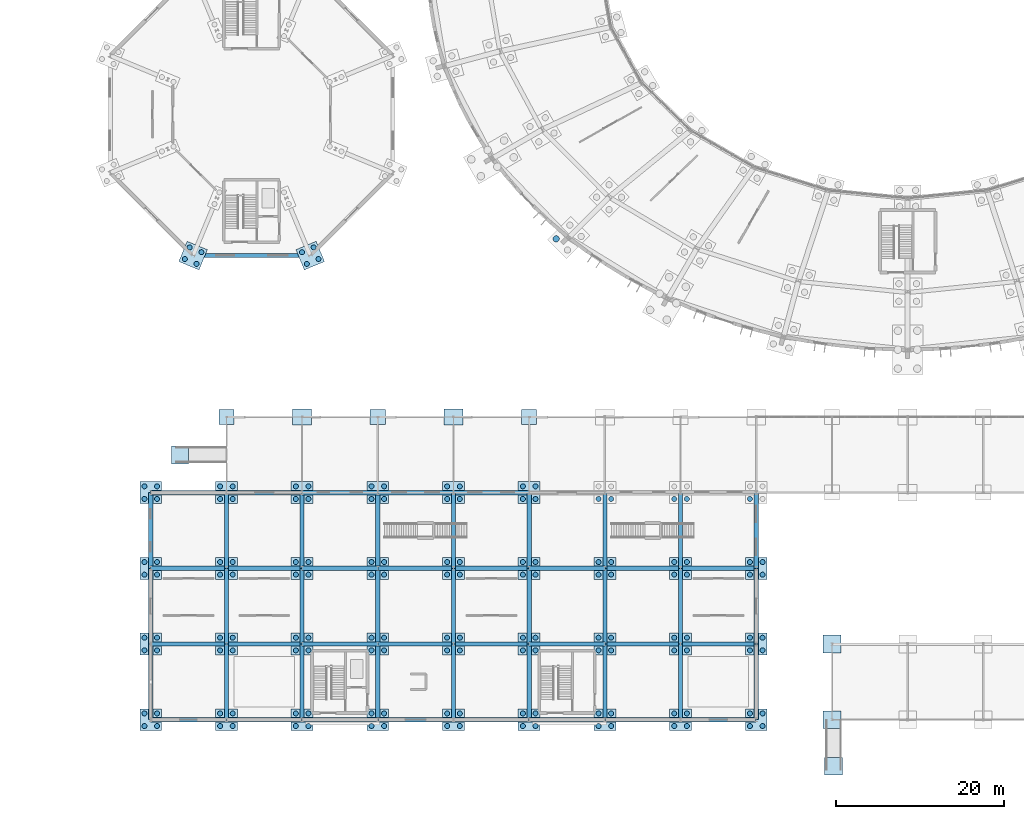
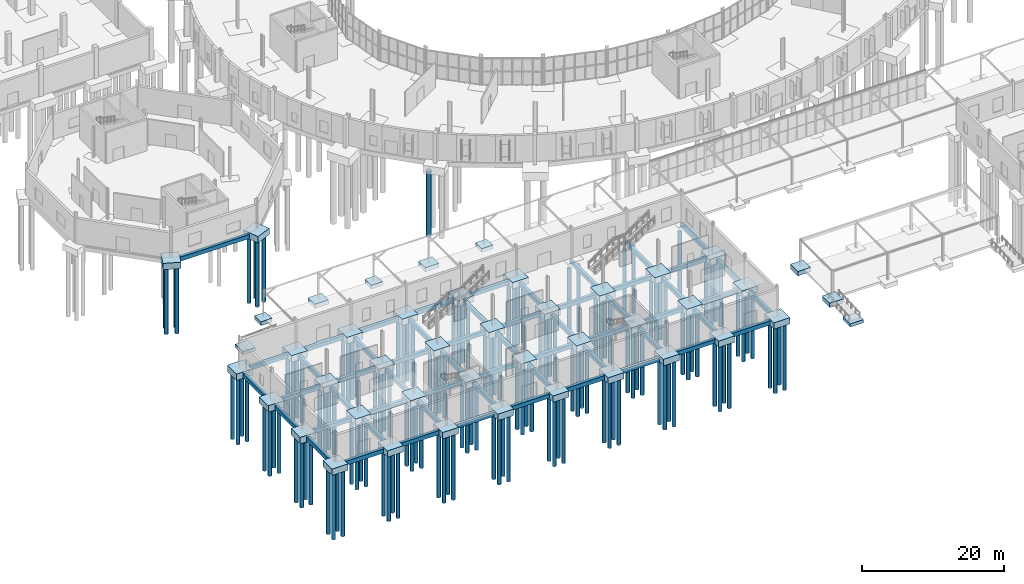
# One storey, part 1 of 118: 146 piles, 101 footings.
"""IFC4 building model written with IfcOpenShell, lengths in metres."""

from ifc_helpers import new_model, si_unit, direction, frame, origin, origin_2d, place, context, subcontext, project, spatial, rectangle, circle, extrude, material, material_profile, profile_set, type_object, element, save


model = new_model("IFC4")

# Units and contexts
model_context = context("Model", 3, precision=1e-05, world=origin(), true_north=direction((0.0, 1.0)))
body_context = subcontext(model_context, "Body", "Model", "MODEL_VIEW")
ifc_project = project(units=[si_unit("LENGTHUNIT", "METRE"), si_unit("AREAUNIT", "SQUARE_METRE"), si_unit("VOLUMEUNIT", "CUBIC_METRE"), si_unit("PLANEANGLEUNIT", "RADIAN"), si_unit("MASSUNIT", "GRAM", prefix="KILO")], contexts=[model_context])

# Site, building, storey
site_placement = place(None, origin())
site = spatial("IfcSite", under=ifc_project, at=site_placement, CompositionType="ELEMENT")
building_placement = place(site_placement, origin())
building = spatial("IfcBuilding", under=site, at=building_placement, Name="Kildeholm Park Wholesale Market", CompositionType="ELEMENT")
storey_placement = place(building_placement, origin())
storey = spatial("IfcBuildingStorey", under=building, at=storey_placement, Name="L00", CompositionType="ELEMENT", Elevation=0.0)

# Piles
ifc_material = material(Name="Concrete C35/45", Category="concrete")
ifc_material_profile_1 = material_profile(ifc_material, circle(Radius=0.300048828125, at=origin_2d()), Name="PILE D600")
ifc_profile_set_1 = profile_set([ifc_material_profile_1], Name="Concrete C35/45")
pile_type_1 = type_object("IfcPileType", Name="Bored pile 600 mm", PredefinedType="BORED", material=ifc_profile_set_1)
for number, where, z_axis, x_axis, name in (
    (1, (13.629150390625, 56.164794921875, -1.0), (0.0, 0.0, -1.0), (1.0, 0.0, 0.0), "Bored pile V3-OT-05.1 PIL-0409"),
    (2, (13.05517578125, 54.779052734375, -1.0), (0.0, 0.0, -1.0), (1.0, 0.0, 0.0), "Bored pile V3-OT-05.2 PIL-0410"),
    (3, (15.014892578125, 55.5908203125, -1.0), (0.0, 0.0, -1.0), (1.0, 0.0, 0.0), "Bored pile V3-OT-05.3 PIL-0411"),
    (4, (14.44091796875, 54.205078125, -1.0), (0.0, 0.0, -1.0), (1.0, 0.0, 0.0), "Bored pile V3-OT-05.4 PIL-0412"),
    (5, (26.985107421875, 55.5908203125, -1.0), (0.0, 0.0, -1.0), (1.0, 0.0, 0.0), "Bored pile V3-OT-06.1 PIL-0415"),
    (6, (27.55908203125, 54.205078125, -1.0), (0.0, 0.0, -1.0), (1.0, 0.0, 0.0), "Bored pile V3-OT-06.2 PIL-0416"),
    (7, (28.370849609375, 56.164794921875, -1.0), (0.0, 0.0, -1.0), (1.0, 0.0, 0.0), "Bored pile V3-OT-06.3 PIL-0417"),
    (8, (28.94482421875, 54.779052734375, -1.0), (0.0, 0.0, -1.0), (1.0, 0.0, 0.0), "Bored pile V3-OT-06.4 PIL-0418"),
    (9, (8.25, -0.75, -1.0), (0.0, 0.0, -1.0), (1.0, 0.0, 0.0), "Bored pile V5W-009-000.1 PIL-0861"),
    (10, (9.75, -0.75, -1.0), (0.0, 0.0, -1.0), (1.0, 0.0, 0.0), "Bored pile V5W-009-000.2 PIL-0862"),
    (11, (8.25, 0.75, -1.0), (0.0, 0.0, -1.0), (1.0, 0.0, 0.0), "Bored pile V5W-009-000.3 PIL-0863"),
    (12, (9.75, 0.75, -1.0), (0.0, 0.0, -1.0), (1.0, 0.0, 0.0), "Bored pile V5W-009-000.4 PIL-0864"),
    (13, (8.25, 8.25, -1.0), (0.0, 0.0, -1.0), (1.0, 0.0, 0.0), "Bored pile V5W-009-009.1 PIL-0865"),
    (14, (9.75, 8.25, -1.0), (0.0, 0.0, -1.0), (1.0, 0.0, 0.0), "Bored pile V5W-009-009.2 PIL-0866"),
    (15, (8.25, 9.75, -1.0), (0.0, 0.0, -1.0), (1.0, 0.0, 0.0), "Bored pile V5W-009-009.3 PIL-0867"),
    (16, (9.75, 9.75, -1.0), (0.0, 0.0, -1.0), (1.0, 0.0, 0.0), "Bored pile V5W-009-009.4 PIL-0868"),
    (17, (8.25, 17.25, -1.0), (0.0, 0.0, -1.0), (1.0, 0.0, 0.0), "Bored pile V5W-009-018.1 PIL-0869"),
    (18, (9.75, 17.25, -1.0), (0.0, 0.0, -1.0), (1.0, 0.0, 0.0), "Bored pile V5W-009-018.2 PIL-0870"),
    (19, (8.25, 18.75, -1.0), (0.0, 0.0, -1.0), (1.0, 0.0, 0.0), "Bored pile V5W-009-018.3 PIL-0871"),
    (20, (9.75, 18.75, -1.0), (0.0, 0.0, -1.0), (1.0, 0.0, 0.0), "Bored pile V5W-009-018.4 PIL-0872"),
    (21, (8.25, 26.25, -1.0), (0.0, 0.0, -1.0), (1.0, 0.0, 0.0), "Bored pile V5W-009-027.1 PIL-0873"),
    (22, (9.75, 26.25, -1.0), (0.0, 0.0, -1.0), (1.0, 0.0, 0.0), "Bored pile V5W-009-027.2 PIL-0874"),
    (23, (8.25, 27.75, -1.0), (0.0, 0.0, -1.0), (1.0, 0.0, 0.0), "Bored pile V5W-009-027.3 PIL-0875"),
    (24, (9.75, 27.75, -1.0), (0.0, 0.0, -1.0), (1.0, 0.0, 0.0), "Bored pile V5W-009-027.4 PIL-0876"),
    (25, (17.25, -0.75, -1.0), (0.0, 0.0, -1.0), (1.0, 0.0, 0.0), "Bored pile V5W-018-000.1 PIL-0877"),
    (26, (18.75, -0.75, -1.0), (0.0, 0.0, -1.0), (1.0, 0.0, 0.0), "Bored pile V5W-018-000.2 PIL-0878"),
    (27, (17.25, 0.75, -1.0), (0.0, 0.0, -1.0), (1.0, 0.0, 0.0), "Bored pile V5W-018-000.3 PIL-0879"),
    (28, (18.75, 0.75, -1.0), (0.0, 0.0, -1.0), (1.0, 0.0, 0.0), "Bored pile V5W-018-000.4 PIL-0880"),
    (29, (17.25, 8.25, -1.0), (0.0, 0.0, -1.0), (1.0, 0.0, 0.0), "Bored pile V5W-018-009.1 PIL-0881"),
    (30, (18.75, 8.25, -1.0), (0.0, 0.0, -1.0), (1.0, 0.0, 0.0), "Bored pile V5W-018-009.2 PIL-0882"),
    (31, (17.25, 9.75, -1.0), (0.0, 0.0, -1.0), (1.0, 0.0, 0.0), "Bored pile V5W-018-009.3 PIL-0883"),
    (32, (18.75, 9.75, -1.0), (0.0, 0.0, -1.0), (1.0, 0.0, 0.0), "Bored pile V5W-018-009.4 PIL-0884"),
    (33, (17.25, 17.25, -1.0), (0.0, 0.0, -1.0), (1.0, 0.0, 0.0), "Bored pile V5W-018-018.1 PIL-0885"),
    (34, (18.75, 17.25, -1.0), (0.0, 0.0, -1.0), (1.0, 0.0, 0.0), "Bored pile V5W-018-018.2 PIL-0886"),
    (35, (17.25, 18.75, -1.0), (0.0, 0.0, -1.0), (1.0, 0.0, 0.0), "Bored pile V5W-018-018.3 PIL-0887"),
    (36, (18.75, 18.75, -1.0), (0.0, 0.0, -1.0), (1.0, 0.0, 0.0), "Bored pile V5W-018-018.4 PIL-0888"),
    (37, (17.25, 26.25, -1.0), (0.0, 0.0, -1.0), (1.0, 0.0, 0.0), "Bored pile V5W-018-027.1 PIL-0889"),
    (38, (18.75, 26.25, -1.0), (0.0, 0.0, -1.0), (1.0, 0.0, 0.0), "Bored pile V5W-018-027.2 PIL-0890"),
    (39, (17.25, 27.75, -1.0), (0.0, 0.0, -1.0), (1.0, 0.0, 0.0), "Bored pile V5W-018-027.3 PIL-0891"),
    (40, (18.75, 27.75, -1.0), (0.0, 0.0, -1.0), (1.0, 0.0, 0.0), "Bored pile V5W-018-027.4 PIL-0892"),
    (41, (26.25, -0.75, -1.0), (0.0, 0.0, -1.0), (1.0, 0.0, 0.0), "Bored pile V5W-027-000.1 PIL-0893"),
    (42, (27.75, -0.75, -1.0), (0.0, 0.0, -1.0), (1.0, 0.0, 0.0), "Bored pile V5W-027-000.2 PIL-0894"),
    (43, (26.25, 0.75, -1.0), (0.0, 0.0, -1.0), (1.0, 0.0, 0.0), "Bored pile V5W-027-000.3 PIL-0895"),
    (44, (27.75, 0.75, -1.0), (0.0, 0.0, -1.0), (1.0, 0.0, 0.0), "Bored pile V5W-027-000.4 PIL-0896"),
    (45, (26.25, 8.25, -1.0), (0.0, 0.0, -1.0), (1.0, 0.0, 0.0), "Bored pile V5W-027-009.1 PIL-0897"),
    (46, (27.75, 8.25, -1.0), (0.0, 0.0, -1.0), (1.0, 0.0, 0.0), "Bored pile V5W-027-009.2 PIL-0898"),
    (47, (26.25, 9.75, -1.0), (0.0, 0.0, -1.0), (1.0, 0.0, 0.0), "Bored pile V5W-027-009.3 PIL-0899"),
    (48, (27.75, 9.75, -1.0), (0.0, 0.0, -1.0), (1.0, 0.0, 0.0), "Bored pile V5W-027-009.4 PIL-0900"),
    (49, (26.25, 17.25, -1.0), (0.0, 0.0, -1.0), (1.0, 0.0, 0.0), "Bored pile V5W-027-018.1 PIL-0901"),
    (50, (27.75, 17.25, -1.0), (0.0, 0.0, -1.0), (1.0, 0.0, 0.0), "Bored pile V5W-027-018.2 PIL-0902"),
    (51, (26.25, 18.75, -1.0), (0.0, 0.0, -1.0), (1.0, 0.0, 0.0), "Bored pile V5W-027-018.3 PIL-0903"),
    (52, (27.75, 18.75, -1.0), (0.0, 0.0, -1.0), (1.0, 0.0, 0.0), "Bored pile V5W-027-018.4 PIL-0904"),
    (53, (26.25, 26.25, -1.0), (0.0, 0.0, -1.0), (1.0, 0.0, 0.0), "Bored pile V5W-027-027.1 PIL-0905"),
    (54, (27.75, 26.25, -1.0), (0.0, 0.0, -1.0), (1.0, 0.0, 0.0), "Bored pile V5W-027-027.2 PIL-0906"),
    (55, (26.25, 27.75, -1.0), (0.0, 0.0, -1.0), (1.0, 0.0, 0.0), "Bored pile V5W-027-027.3 PIL-0907"),
    (56, (27.75, 27.75, -1.0), (0.0, 0.0, -1.0), (1.0, 0.0, 0.0), "Bored pile V5W-027-027.4 PIL-0908"),
    (57, (35.25, -0.75, -1.0), (0.0, 0.0, -1.0), (1.0, 0.0, 0.0), "Bored pile V5W-036-000.1 PIL-0909"),
    (58, (36.75, -0.75, -1.0), (0.0, 0.0, -1.0), (1.0, 0.0, 0.0), "Bored pile V5W-036-000.2 PIL-0910"),
    (59, (35.25, 0.75, -1.0), (0.0, 0.0, -1.0), (1.0, 0.0, 0.0), "Bored pile V5W-036-000.3 PIL-0911"),
    (60, (36.75, 0.75, -1.0), (0.0, 0.0, -1.0), (1.0, 0.0, 0.0), "Bored pile V5W-036-000.4 PIL-0912"),
    (61, (35.25, 8.25, -1.0), (0.0, 0.0, -1.0), (1.0, 0.0, 0.0), "Bored pile V5W-036-009.1 PIL-0913"),
    (62, (36.75, 8.25, -1.0), (0.0, 0.0, -1.0), (1.0, 0.0, 0.0), "Bored pile V5W-036-009.2 PIL-0914"),
    (63, (35.25, 9.75, -1.0), (0.0, 0.0, -1.0), (1.0, 0.0, 0.0), "Bored pile V5W-036-009.3 PIL-0915"),
    (64, (36.75, 9.75, -1.0), (0.0, 0.0, -1.0), (1.0, 0.0, 0.0), "Bored pile V5W-036-009.4 PIL-0916"),
    (65, (35.25, 17.25, -1.0), (0.0, 0.0, -1.0), (1.0, 0.0, 0.0), "Bored pile V5W-036-018.1 PIL-0917"),
    (66, (36.75, 17.25, -1.0), (0.0, 0.0, -1.0), (1.0, 0.0, 0.0), "Bored pile V5W-036-018.2 PIL-0918"),
    (67, (35.25, 18.75, -1.0), (0.0, 0.0, -1.0), (1.0, 0.0, 0.0), "Bored pile V5W-036-018.3 PIL-0919"),
    (68, (36.75, 18.75, -1.0), (0.0, 0.0, -1.0), (1.0, 0.0, 0.0), "Bored pile V5W-036-018.4 PIL-0920"),
    (69, (35.25, 26.25, -1.0), (0.0, 0.0, -1.0), (1.0, 0.0, 0.0), "Bored pile V5W-036-027.1 PIL-0921"),
    (70, (36.75, 26.25, -1.0), (0.0, 0.0, -1.0), (1.0, 0.0, 0.0), "Bored pile V5W-036-027.2 PIL-0922"),
    (71, (35.25, 27.75, -1.0), (0.0, 0.0, -1.0), (1.0, 0.0, 0.0), "Bored pile V5W-036-027.3 PIL-0923"),
    (72, (36.75, 27.75, -1.0), (0.0, 0.0, -1.0), (1.0, 0.0, 0.0), "Bored pile V5W-036-027.4 PIL-0924"),
    (73, (44.25, -0.75, -1.0), (0.0, 0.0, -1.0), (1.0, 0.0, 0.0), "Bored pile V5W-045-000.1 PIL-0925"),
    (74, (45.75, -0.75, -1.0), (0.0, 0.0, -1.0), (1.0, 0.0, 0.0), "Bored pile V5W-045-000.2 PIL-0926"),
    (75, (44.25, 0.75, -1.0), (0.0, 0.0, -1.0), (1.0, 0.0, 0.0), "Bored pile V5W-045-000.3 PIL-0927"),
    (76, (45.75, 0.75, -1.0), (0.0, 0.0, -1.0), (1.0, 0.0, 0.0), "Bored pile V5W-045-000.4 PIL-0928"),
    (77, (44.25, 8.25, -1.0), (0.0, 0.0, -1.0), (1.0, 0.0, 0.0), "Bored pile V5W-045-009.1 PIL-0929"),
    (78, (45.75, 8.25, -1.0), (0.0, 0.0, -1.0), (1.0, 0.0, 0.0), "Bored pile V5W-045-009.2 PIL-0930"),
    (79, (44.25, 9.75, -1.0), (0.0, 0.0, -1.0), (1.0, 0.0, 0.0), "Bored pile V5W-045-009.3 PIL-0931"),
    (80, (45.75, 9.75, -1.0), (0.0, 0.0, -1.0), (1.0, 0.0, 0.0), "Bored pile V5W-045-009.4 PIL-0932"),
    (81, (44.25, 17.25, -1.0), (0.0, 0.0, -1.0), (1.0, 0.0, 0.0), "Bored pile V5W-045-018.1 PIL-0933"),
    (82, (45.75, 17.25, -1.0), (0.0, 0.0, -1.0), (1.0, 0.0, 0.0), "Bored pile V5W-045-018.2 PIL-0934"),
    (83, (44.25, 18.75, -1.0), (0.0, 0.0, -1.0), (1.0, 0.0, 0.0), "Bored pile V5W-045-018.3 PIL-0935"),
    (84, (45.75, 18.75, -1.0), (0.0, 0.0, -1.0), (1.0, 0.0, 0.0), "Bored pile V5W-045-018.4 PIL-0936"),
    (85, (44.25, 26.25, -1.0), (0.0, 0.0, -1.0), (1.0, 0.0, 0.0), "Bored pile V5W-045-027.1 PIL-0937"),
    (86, (45.75, 26.25, -1.0), (0.0, 0.0, -1.0), (1.0, 0.0, 0.0), "Bored pile V5W-045-027.2 PIL-0938"),
    (87, (44.25, 27.75, -1.0), (0.0, 0.0, -1.0), (1.0, 0.0, 0.0), "Bored pile V5W-045-027.3 PIL-0939"),
    (88, (45.75, 27.75, -1.0), (0.0, 0.0, -1.0), (1.0, 0.0, 0.0), "Bored pile V5W-045-027.4 PIL-0940"),
    (89, (53.25, -0.75, -1.0), (0.0, 0.0, -1.0), (1.0, 0.0, 0.0), "Bored pile V5W-054-000.1 PIL-0941"),
    (90, (54.75, -0.75, -1.0), (0.0, 0.0, -1.0), (1.0, 0.0, 0.0), "Bored pile V5W-054-000.2 PIL-0942"),
    (91, (53.25, 0.75, -1.0), (0.0, 0.0, -1.0), (1.0, 0.0, 0.0), "Bored pile V5W-054-000.3 PIL-0943"),
    (92, (54.75, 0.75, -1.0), (0.0, 0.0, -1.0), (1.0, 0.0, 0.0), "Bored pile V5W-054-000.4 PIL-0944"),
    (93, (53.25, 8.25, -1.0), (0.0, 0.0, -1.0), (1.0, 0.0, 0.0), "Bored pile V5W-054-009.1 PIL-0945"),
    (94, (54.75, 8.25, -1.0), (0.0, 0.0, -1.0), (1.0, 0.0, 0.0), "Bored pile V5W-054-009.2 PIL-0946"),
    (95, (53.25, 9.75, -1.0), (0.0, 0.0, -1.0), (1.0, 0.0, 0.0), "Bored pile V5W-054-009.3 PIL-0947"),
    (96, (54.75, 9.75, -1.0), (0.0, 0.0, -1.0), (1.0, 0.0, 0.0), "Bored pile V5W-054-009.4 PIL-0948"),
    (97, (53.25, 17.25, -1.0), (0.0, 0.0, -1.0), (1.0, 0.0, 0.0), "Bored pile V5W-054-018.1 PIL-0949"),
    (98, (54.75, 17.25, -1.0), (0.0, 0.0, -1.0), (1.0, 0.0, 0.0), "Bored pile V5W-054-018.2 PIL-0950"),
    (99, (53.25, 18.75, -1.0), (0.0, 0.0, -1.0), (1.0, 0.0, 0.0), "Bored pile V5W-054-018.3 PIL-0951"),
    (100, (54.75, 18.75, -1.0), (0.0, 0.0, -1.0), (1.0, 0.0, 0.0), "Bored pile V5W-054-018.4 PIL-0952"),
    (101, (53.25, 26.25, -1.0), (0.0, 0.0, -1.0), (1.0, 0.0, 0.0), "Bored pile V5W-054-027.1 PIL-0953"),
    (102, (54.75, 26.25, -1.0), (0.0, 0.0, -1.0), (1.0, 0.0, 0.0), "Bored pile V5W-054-027.2 PIL-0954"),
    (103, (53.25, 27.75, -1.0), (0.0, 0.0, -1.0), (1.0, 0.0, 0.0), "Bored pile V5W-054-027.3 PIL-0955"),
    (104, (54.75, 27.75, -1.0), (0.0, 0.0, -1.0), (1.0, 0.0, 0.0), "Bored pile V5W-054-027.4 PIL-0956"),
    (105, (62.25, -0.75, -1.0), (0.0, 0.0, -1.0), (1.0, 0.0, 0.0), "Bored pile V5W-063-000.1 PIL-0957"),
    (106, (63.75, -0.75, -1.0), (0.0, 0.0, -1.0), (1.0, 0.0, 0.0), "Bored pile V5W-063-000.2 PIL-0958"),
    (107, (62.25, 0.75, -1.0), (0.0, 0.0, -1.0), (1.0, 0.0, 0.0), "Bored pile V5W-063-000.3 PIL-0959"),
    (108, (63.75, 0.75, -1.0), (0.0, 0.0, -1.0), (1.0, 0.0, 0.0), "Bored pile V5W-063-000.4 PIL-0960"),
    (109, (62.25, 8.25, -1.0), (0.0, 0.0, -1.0), (1.0, 0.0, 0.0), "Bored pile V5W-063-009.1 PIL-0961"),
    (110, (63.75, 8.25, -1.0), (0.0, 0.0, -1.0), (1.0, 0.0, 0.0), "Bored pile V5W-063-009.2 PIL-0962"),
    (111, (62.25, 9.75, -1.0), (0.0, 0.0, -1.0), (1.0, 0.0, 0.0), "Bored pile V5W-063-009.3 PIL-0963"),
    (112, (63.75, 9.75, -1.0), (0.0, 0.0, -1.0), (1.0, 0.0, 0.0), "Bored pile V5W-063-009.4 PIL-0964"),
    (113, (62.25, 17.25, -1.0), (0.0, 0.0, -1.0), (1.0, 0.0, 0.0), "Bored pile V5W-063-018.1 PIL-0965"),
    (114, (63.75, 17.25, -1.0), (0.0, 0.0, -1.0), (1.0, 0.0, 0.0), "Bored pile V5W-063-018.2 PIL-0966"),
    (115, (62.25, 18.75, -1.0), (0.0, 0.0, -1.0), (1.0, 0.0, 0.0), "Bored pile V5W-063-018.3 PIL-0967"),
    (116, (63.75, 18.75, -1.0), (0.0, 0.0, -1.0), (1.0, 0.0, 0.0), "Bored pile V5W-063-018.4 PIL-0968"),
    (117, (62.25, 26.25, -1.0), (0.0, 0.0, -1.0), (1.0, 0.0, 0.0), "Bored pile V5W-063-027.1 PIL-0969"),
    (118, (63.75, 26.25, -1.0), (0.0, 0.0, -1.0), (1.0, 0.0, 0.0), "Bored pile V5W-063-027.2 PIL-0970"),
    (119, (71.25, -0.75, -1.0), (0.0, 0.0, -1.0), (1.0, 0.0, 0.0), "Bored pile V5W-072-000.1 PIL-0973"),
    (120, (72.75, -0.75, -1.0), (0.0, 0.0, -1.0), (1.0, 0.0, 0.0), "Bored pile V5W-072-000.2 PIL-0974"),
    (121, (71.25, 0.75, -1.0), (0.0, 0.0, -1.0), (1.0, 0.0, 0.0), "Bored pile V5W-072-000.3 PIL-0975"),
    (122, (72.75, 0.75, -1.0), (0.0, 0.0, -1.0), (1.0, 0.0, 0.0), "Bored pile V5W-072-000.4 PIL-0976"),
    (123, (71.25, 8.25, -1.0), (0.0, 0.0, -1.0), (1.0, 0.0, 0.0), "Bored pile V5W-072-009.1 PIL-0977"),
    (124, (72.75, 8.25, -1.0), (0.0, 0.0, -1.0), (1.0, 0.0, 0.0), "Bored pile V5W-072-009.2 PIL-0978"),
    (125, (71.25, 9.75, -1.0), (0.0, 0.0, -1.0), (1.0, 0.0, 0.0), "Bored pile V5W-072-009.3 PIL-0979"),
    (126, (72.75, 9.75, -1.0), (0.0, 0.0, -1.0), (1.0, 0.0, 0.0), "Bored pile V5W-072-009.4 PIL-0980"),
    (127, (71.25, 17.25, -1.0), (0.0, 0.0, -1.0), (1.0, 0.0, 0.0), "Bored pile V5W-072-018.1 PIL-0981"),
    (128, (72.75, 17.25, -1.0), (0.0, 0.0, -1.0), (1.0, 0.0, 0.0), "Bored pile V5W-072-018.2 PIL-0982"),
    (129, (71.25, 18.75, -1.0), (0.0, 0.0, -1.0), (1.0, 0.0, 0.0), "Bored pile V5W-072-018.3 PIL-0983"),
    (130, (72.75, 18.75, -1.0), (0.0, 0.0, -1.0), (1.0, 0.0, 0.0), "Bored pile V5W-072-018.4 PIL-0984"),
    (131, (71.25, 26.25, -1.0), (0.0, 0.0, -1.0), (1.0, 0.0, 0.0), "Bored pile V5W-072-027.1 PIL-0985"),
    (132, (72.75, 26.25, -1.0), (0.0, 0.0, -1.0), (1.0, 0.0, 0.0), "Bored pile V5W-072-027.2 PIL-0986"),
    (133, (80.25, -0.75, -1.0), (0.0, 0.0, -1.0), (1.0, 0.0, 0.0), "Bored pile V5W-081-000.1 PIL-0989"),
    (134, (81.75, -0.75, -1.0), (0.0, 0.0, -1.0), (1.0, 0.0, 0.0), "Bored pile V5W-081-000.2 PIL-0990"),
    (135, (80.25, 0.75, -1.0), (0.0, 0.0, -1.0), (1.0, 0.0, 0.0), "Bored pile V5W-081-000.3 PIL-0991"),
    (136, (81.75, 0.75, -1.0), (0.0, 0.0, -1.0), (1.0, 0.0, 0.0), "Bored pile V5W-081-000.4 PIL-0992"),
    (137, (80.25, 8.25, -1.0), (0.0, 0.0, -1.0), (1.0, 0.0, 0.0), "Bored pile V5W-081-009.1 PIL-0993"),
    (138, (81.75, 8.25, -1.0), (0.0, 0.0, -1.0), (1.0, 0.0, 0.0), "Bored pile V5W-081-009.2 PIL-0994"),
    (139, (80.25, 9.75, -1.0), (0.0, 0.0, -1.0), (1.0, 0.0, 0.0), "Bored pile V5W-081-009.3 PIL-0995"),
    (140, (81.75, 9.75, -1.0), (0.0, 0.0, -1.0), (1.0, 0.0, 0.0), "Bored pile V5W-081-009.4 PIL-0996"),
    (141, (80.25, 17.25, -1.0), (0.0, 0.0, -1.0), (1.0, 0.0, 0.0), "Bored pile V5W-081-018.1 PIL-0997"),
    (142, (81.75, 17.25, -1.0), (0.0, 0.0, -1.0), (1.0, 0.0, 0.0), "Bored pile V5W-081-018.2 PIL-0998"),
    (143, (80.25, 18.75, -1.0), (0.0, 0.0, -1.0), (1.0, 0.0, 0.0), "Bored pile V5W-081-018.3 PIL-0999"),
    (144, (81.75, 18.75, -1.0), (0.0, 0.0, -1.0), (1.0, 0.0, 0.0), "Bored pile V5W-081-018.4 PIL-1000"),
    (145, (80.25, 26.25, -1.0), (0.0, 0.0, -1.0), (1.0, 0.0, 0.0), "Bored pile V5W-081-027.1 PIL-1001"),
):
    element("IfcPile", number, at=place(storey_placement, frame(where, z_axis=z_axis, x_axis=x_axis)), inside=storey, type_object=pile_type_1, Name=name, PredefinedType="BORED", context=body_context, shape_type="SweptSolid", body=[
        extrude(circle(Radius=0.300048828125, at=origin_2d()), origin(), (0.0, 0.0, 1.0), 11.5),
    ])
ifc_material_profile_2 = material_profile(ifc_material, circle(Radius=0.375, at=origin_2d()), Name="PILE D750")
ifc_profile_set_2 = profile_set([ifc_material_profile_2], Name="Concrete C35/45")
pile_type_2 = type_object("IfcPileType", Name="Bored pile 750 mm", PredefinedType="BORED", material=ifc_profile_set_2)
pile_placement = place(storey_placement, frame((57.210205078125, 57.185546875, -1.25), z_axis=(0.0, 0.0, -1.0), x_axis=(1.0, 0.0, 0.0)))
element("IfcPile", 146, at=pile_placement, inside=storey, type_object=pile_type_2, Name="Bored pile V1-OT-15.2 PIL-0206", PredefinedType="BORED", context=body_context, shape_type="SweptSolid", body=[
    extrude(circle(Radius=0.375, at=origin_2d()), origin(), (0.0, 0.0, 1.0), 11.25),
])

# Footings
ifc_material_profile_3 = material_profile(ifc_material, rectangle(XDim=0.5, YDim=0.699951171875, at=origin_2d()), Name="FB 500x700")
ifc_profile_set_3 = profile_set([ifc_material_profile_3], Name="Concrete C35/45")
footing_type_1 = type_object("IfcFootingType", Name="Ground tie beam GB-1 FB 500x700", PredefinedType="FOOTING_BEAM", material=ifc_profile_set_3)
footing_placement = place(storey_placement, frame((14.034912109375, 55.18505859375, -0.64990234375), z_axis=(1.0, 0.0, 0.0), x_axis=(0.0, 1.0, 0.0)))
element("IfcFooting", 147, at=footing_placement, inside=storey, type_object=footing_type_1, Name="Ground tie beam GB-V3-C-05 FTG-0280", PredefinedType="FOOTING_BEAM", context=body_context, shape_type="SweptSolid", body=[
    extrude(rectangle(XDim=0.5, YDim=0.699951171875, at=origin_2d()), origin(), (0.0, 0.0, 1.0), 13.93017578125),
])
for number, where, z_axis, x_axis, name in (
    (148, (9.0, 0.0, -0.64990234375), (1.0, 0.0, 0.0), (0.0, 1.0, 0.0), "Ground tie beam GB-V5W-X-009-000 FTG-0622"),
    (149, (9.0, 0.0, -0.64990234375), (0.0, 1.0, 0.0), (-1.0, 0.0, 0.0), "Ground tie beam GB-V5W-Y-009-000 FTG-0623"),
    (150, (9.0, 9.0, -0.64990234375), (1.0, 0.0, 0.0), (0.0, 1.0, 0.0), "Ground tie beam GB-V5W-X-009-009 FTG-0624"),
    (151, (9.0, 9.0, -0.64990234375), (0.0, 1.0, 0.0), (-1.0, 0.0, 0.0), "Ground tie beam GB-V5W-Y-009-009 FTG-0625"),
    (152, (9.0, 18.0, -0.64990234375), (1.0, 0.0, 0.0), (0.0, 1.0, 0.0), "Ground tie beam GB-V5W-X-009-018 FTG-0626"),
    (153, (9.0, 18.0, -0.64990234375), (0.0, 1.0, 0.0), (-1.0, 0.0, 0.0), "Ground tie beam GB-V5W-Y-009-018 FTG-0627"),
    (154, (9.0, 27.0, -0.64990234375), (1.0, 0.0, 0.0), (0.0, 1.0, 0.0), "Ground tie beam GB-V5W-X-009-027 FTG-0628"),
    (155, (18.0, 0.0, -0.64990234375), (1.0, 0.0, 0.0), (0.0, 1.0, 0.0), "Ground tie beam GB-V5W-X-018-000 FTG-0629"),
    (156, (18.0, 0.0, -0.64990234375), (0.0, 1.0, 0.0), (-1.0, 0.0, 0.0), "Ground tie beam GB-V5W-Y-018-000 FTG-0630"),
    (157, (18.0, 9.0, -0.64990234375), (1.0, 0.0, 0.0), (0.0, 1.0, 0.0), "Ground tie beam GB-V5W-X-018-009 FTG-0631"),
    (158, (18.0, 9.0, -0.64990234375), (0.0, 1.0, 0.0), (-1.0, 0.0, 0.0), "Ground tie beam GB-V5W-Y-018-009 FTG-0632"),
    (159, (18.0, 18.0, -0.64990234375), (1.0, 0.0, 0.0), (0.0, 1.0, 0.0), "Ground tie beam GB-V5W-X-018-018 FTG-0633"),
    (160, (18.0, 18.0, -0.64990234375), (0.0, 1.0, 0.0), (-1.0, 0.0, 0.0), "Ground tie beam GB-V5W-Y-018-018 FTG-0634"),
    (161, (18.0, 27.0, -0.64990234375), (1.0, 0.0, 0.0), (0.0, 1.0, 0.0), "Ground tie beam GB-V5W-X-018-027 FTG-0635"),
    (162, (27.0, 0.0, -0.64990234375), (1.0, 0.0, 0.0), (0.0, 1.0, 0.0), "Ground tie beam GB-V5W-X-027-000 FTG-0636"),
    (163, (27.0, 0.0, -0.64990234375), (0.0, 1.0, 0.0), (-1.0, 0.0, 0.0), "Ground tie beam GB-V5W-Y-027-000 FTG-0637"),
    (164, (27.0, 9.0, -0.64990234375), (1.0, 0.0, 0.0), (0.0, 1.0, 0.0), "Ground tie beam GB-V5W-X-027-009 FTG-0638"),
    (165, (27.0, 9.0, -0.64990234375), (0.0, 1.0, 0.0), (-1.0, 0.0, 0.0), "Ground tie beam GB-V5W-Y-027-009 FTG-0639"),
    (166, (27.0, 18.0, -0.64990234375), (1.0, 0.0, 0.0), (0.0, 1.0, 0.0), "Ground tie beam GB-V5W-X-027-018 FTG-0640"),
    (167, (27.0, 18.0, -0.64990234375), (0.0, 1.0, 0.0), (-1.0, 0.0, 0.0), "Ground tie beam GB-V5W-Y-027-018 FTG-0641"),
    (168, (27.0, 27.0, -0.64990234375), (1.0, 0.0, 0.0), (0.0, 1.0, 0.0), "Ground tie beam GB-V5W-X-027-027 FTG-0642"),
    (169, (36.0, 0.0, -0.64990234375), (1.0, 0.0, 0.0), (0.0, 1.0, 0.0), "Ground tie beam GB-V5W-X-036-000 FTG-0643"),
    (170, (36.0, 0.0, -0.64990234375), (0.0, 1.0, 0.0), (-1.0, 0.0, 0.0), "Ground tie beam GB-V5W-Y-036-000 FTG-0644"),
    (171, (36.0, 9.0, -0.64990234375), (1.0, 0.0, 0.0), (0.0, 1.0, 0.0), "Ground tie beam GB-V5W-X-036-009 FTG-0645"),
    (172, (36.0, 9.0, -0.64990234375), (0.0, 1.0, 0.0), (-1.0, 0.0, 0.0), "Ground tie beam GB-V5W-Y-036-009 FTG-0646"),
    (173, (36.0, 18.0, -0.64990234375), (1.0, 0.0, 0.0), (0.0, 1.0, 0.0), "Ground tie beam GB-V5W-X-036-018 FTG-0647"),
    (174, (36.0, 18.0, -0.64990234375), (0.0, 1.0, 0.0), (-1.0, 0.0, 0.0), "Ground tie beam GB-V5W-Y-036-018 FTG-0648"),
    (175, (36.0, 27.0, -0.64990234375), (1.0, 0.0, 0.0), (0.0, 1.0, 0.0), "Ground tie beam GB-V5W-X-036-027 FTG-0649"),
    (176, (45.0, 0.0, -0.64990234375), (1.0, 0.0, 0.0), (0.0, 1.0, 0.0), "Ground tie beam GB-V5W-X-045-000 FTG-0650"),
    (177, (45.0, 0.0, -0.64990234375), (0.0, 1.0, 0.0), (-1.0, 0.0, 0.0), "Ground tie beam GB-V5W-Y-045-000 FTG-0651"),
    (178, (45.0, 9.0, -0.64990234375), (1.0, 0.0, 0.0), (0.0, 1.0, 0.0), "Ground tie beam GB-V5W-X-045-009 FTG-0652"),
    (179, (45.0, 9.0, -0.64990234375), (0.0, 1.0, 0.0), (-1.0, 0.0, 0.0), "Ground tie beam GB-V5W-Y-045-009 FTG-0653"),
    (180, (45.0, 18.0, -0.64990234375), (1.0, 0.0, 0.0), (0.0, 1.0, 0.0), "Ground tie beam GB-V5W-X-045-018 FTG-0654"),
    (181, (45.0, 18.0, -0.64990234375), (0.0, 1.0, 0.0), (-1.0, 0.0, 0.0), "Ground tie beam GB-V5W-Y-045-018 FTG-0655"),
    (182, (45.0, 27.0, -0.64990234375), (1.0, 0.0, 0.0), (0.0, 1.0, 0.0), "Ground tie beam GB-V5W-X-045-027 FTG-0656"),
    (183, (54.0, 0.0, -0.64990234375), (1.0, 0.0, 0.0), (0.0, 1.0, 0.0), "Ground tie beam GB-V5W-X-054-000 FTG-0657"),
    (184, (54.0, 0.0, -0.64990234375), (0.0, 1.0, 0.0), (-1.0, 0.0, 0.0), "Ground tie beam GB-V5W-Y-054-000 FTG-0658"),
    (185, (54.0, 9.0, -0.64990234375), (1.0, 0.0, 0.0), (0.0, 1.0, 0.0), "Ground tie beam GB-V5W-X-054-009 FTG-0659"),
    (186, (54.0, 9.0, -0.64990234375), (0.0, 1.0, 0.0), (-1.0, 0.0, 0.0), "Ground tie beam GB-V5W-Y-054-009 FTG-0660"),
    (187, (54.0, 18.0, -0.64990234375), (1.0, 0.0, 0.0), (0.0, 1.0, 0.0), "Ground tie beam GB-V5W-X-054-018 FTG-0661"),
    (188, (54.0, 18.0, -0.64990234375), (0.0, 1.0, 0.0), (-1.0, 0.0, 0.0), "Ground tie beam GB-V5W-Y-054-018 FTG-0662"),
    (189, (63.0, 0.0, -0.64990234375), (1.0, 0.0, 0.0), (0.0, 1.0, 0.0), "Ground tie beam GB-V5W-X-063-000 FTG-0664"),
    (190, (63.0, 0.0, -0.64990234375), (0.0, 1.0, 0.0), (-1.0, 0.0, 0.0), "Ground tie beam GB-V5W-Y-063-000 FTG-0665"),
    (191, (63.0, 9.0, -0.64990234375), (1.0, 0.0, 0.0), (0.0, 1.0, 0.0), "Ground tie beam GB-V5W-X-063-009 FTG-0666"),
    (192, (63.0, 9.0, -0.64990234375), (0.0, 1.0, 0.0), (-1.0, 0.0, 0.0), "Ground tie beam GB-V5W-Y-063-009 FTG-0667"),
    (193, (63.0, 18.0, -0.64990234375), (1.0, 0.0, 0.0), (0.0, 1.0, 0.0), "Ground tie beam GB-V5W-X-063-018 FTG-0668"),
    (194, (63.0, 18.0, -0.64990234375), (0.0, 1.0, 0.0), (-1.0, 0.0, 0.0), "Ground tie beam GB-V5W-Y-063-018 FTG-0669"),
    (195, (72.0, 0.0, -0.64990234375), (1.0, 0.0, 0.0), (0.0, 1.0, 0.0), "Ground tie beam GB-V5W-X-072-000 FTG-0671"),
    (196, (72.0, 0.0, -0.64990234375), (0.0, 1.0, 0.0), (-1.0, 0.0, 0.0), "Ground tie beam GB-V5W-Y-072-000 FTG-0672"),
    (197, (72.0, 9.0, -0.64990234375), (1.0, 0.0, 0.0), (0.0, 1.0, 0.0), "Ground tie beam GB-V5W-X-072-009 FTG-0673"),
    (198, (72.0, 9.0, -0.64990234375), (0.0, 1.0, 0.0), (-1.0, 0.0, 0.0), "Ground tie beam GB-V5W-Y-072-009 FTG-0674"),
    (199, (72.0, 18.0, -0.64990234375), (1.0, 0.0, 0.0), (0.0, 1.0, 0.0), "Ground tie beam GB-V5W-X-072-018 FTG-0675"),
    (200, (72.0, 18.0, -0.64990234375), (0.0, 1.0, 0.0), (-1.0, 0.0, 0.0), "Ground tie beam GB-V5W-Y-072-018 FTG-0676"),
    (201, (81.0, 0.0, -0.64990234375), (0.0, 1.0, 0.0), (-1.0, 0.0, 0.0), "Ground tie beam GB-V5W-Y-081-000 FTG-0678"),
    (202, (81.0, 9.0, -0.64990234375), (0.0, 1.0, 0.0), (-1.0, 0.0, 0.0), "Ground tie beam GB-V5W-Y-081-009 FTG-0679"),
    (203, (81.0, 18.0, -0.64990234375), (0.0, 1.0, 0.0), (-1.0, 0.0, 0.0), "Ground tie beam GB-V5W-Y-081-018 FTG-0680"),
):
    element("IfcFooting", number, at=place(storey_placement, frame(where, z_axis=z_axis, x_axis=x_axis)), inside=storey, type_object=footing_type_1, Name=name, PredefinedType="FOOTING_BEAM", context=body_context, shape_type="SweptSolid", body=[
        extrude(rectangle(XDim=0.5, YDim=0.699951171875, at=origin_2d()), origin(), (0.0, 0.0, 1.0), 9.0),
    ])
footing_type_2 = type_object("IfcFootingType", Name="Pad footing PF-1A 1800x1800x650", PredefinedType="PAD_FOOTING", material=ifc_material)
for number, where, z_axis, x_axis, name in (
    (204, (18.0, 36.0, -0.64990234375), (0.0, 0.0, 1.0), (1.0, 0.0, 0.0), "Canopy pad footing 018-036 FTG-0776"),
    (205, (36.0, 36.0, -0.64990234375), (0.0, 0.0, 1.0), (1.0, 0.0, 0.0), "Canopy pad footing 036-036 FTG-0778"),
    (206, (54.0, 36.0, -0.64990234375), (0.0, 0.0, 1.0), (1.0, 0.0, 0.0), "Canopy pad footing 054-036 FTG-0780"),
):
    element("IfcFooting", number, at=place(storey_placement, frame(where, z_axis=z_axis, x_axis=x_axis)), inside=storey, type_object=footing_type_2, Name=name, PredefinedType="PAD_FOOTING", context=body_context, shape_type="SweptSolid", body=[
        extrude(rectangle(XDim=1.800048828125, YDim=1.800048828125, at=origin_2d()), origin(), (0.0, 0.0, 1.0), 0.64990234375),
    ])
footing_type_3 = type_object("IfcFootingType", Name="Pad footing PF-1B 2100x2100x750", PredefinedType="PAD_FOOTING", material=ifc_material)
for number, where, z_axis, x_axis, name in (
    (207, (90.0, 0.0, -0.75), (0.0, 0.0, 1.0), (1.0, 0.0, 0.0), "Entrance canopy footing 090-000 FTG-0800"),
    (208, (90.0, 9.0, -0.75), (0.0, 0.0, 1.0), (1.0, 0.0, 0.0), "Entrance canopy footing 090-009 FTG-0801"),
):
    element("IfcFooting", number, at=place(storey_placement, frame(where, z_axis=z_axis, x_axis=x_axis)), inside=storey, type_object=footing_type_3, Name=name, PredefinedType="PAD_FOOTING", context=body_context, shape_type="SweptSolid", body=[
        extrude(rectangle(XDim=2.10009765625, YDim=2.10009765625, at=origin_2d()), origin(), (0.0, 0.0, 1.0), 0.75),
    ])
footing_type_4 = type_object("IfcFootingType", Name="Pad footing PF-1C 2250x1950x700", PredefinedType="PAD_FOOTING", material=ifc_material)
for number, where, z_axis, x_axis, name in (
    (209, (27.0, 36.0, -0.7001953125), (0.0, 0.0, 1.0), (1.0, 0.0, 0.0), "Canopy pad footing 027-036 FTG-0777"),
    (210, (45.0, 36.0, -0.7001953125), (0.0, 0.0, 1.0), (1.0, 0.0, 0.0), "Canopy pad footing 045-036 FTG-0779"),
):
    element("IfcFooting", number, at=place(storey_placement, frame(where, z_axis=z_axis, x_axis=x_axis)), inside=storey, type_object=footing_type_4, Name=name, PredefinedType="PAD_FOOTING", context=body_context, shape_type="SweptSolid", body=[
        extrude(rectangle(XDim=2.25, YDim=1.949951171875, at=origin_2d()), origin(), (0.0, 0.0, 1.0), 0.699951171875),
    ])
footing_type_5 = type_object("IfcFootingType", Name="Pad footing PF-RM 2050x2150x550", PredefinedType="PAD_FOOTING", material=ifc_material)
for number, where, z_axis, x_axis, name in (
    (211, (90.199951171875, -5.52001953125, -0.85009765625), (0.0, 0.0, 1.0), (0.0, 1.0, 0.0), "Ramp toe pad footing RM-PK-W FTG-0808"),
    (212, (12.47998046875, 31.5, -0.85009765625), (0.0, 0.0, 1.0), (1.0, 0.0, 0.0), "Ramp toe pad footing RM-V6-W FTG-0810"),
):
    element("IfcFooting", number, at=place(storey_placement, frame(where, z_axis=z_axis, x_axis=x_axis)), inside=storey, type_object=footing_type_5, Name=name, PredefinedType="PAD_FOOTING", context=body_context, shape_type="SweptSolid", body=[
        extrude(rectangle(XDim=2.050048828125, YDim=2.14990234375, at=origin_2d()), origin(), (0.0, 0.0, 1.0), 0.550048828125),
    ])
footing_type_6 = type_object("IfcFootingType", Name="Pile cap PC-4A 2600x2600x1100", PredefinedType="PILE_CAP", material=ifc_material)
for number, where, z_axis, x_axis, name in (
    (213, (14.034912109375, 55.18505859375, -1.10009765625), (0.0, 0.0, 1.0), (-0.382683432365, -0.923879532511, 0.0), "Pile cap V3-OT-05 FTG-0278"),
    (214, (27.965087890625, 55.18505859375, -1.10009765625), (0.0, 0.0, 1.0), (0.382683432365, -0.923879532511, 0.0), "Pile cap V3-OT-06 FTG-0282"),
    (215, (9.0, 0.0, -1.10009765625), (0.0, 0.0, 1.0), (1.0, 0.0, 0.0), "Pile cap V5W-009-000 FTG-0586"),
    (216, (9.0, 9.0, -1.10009765625), (0.0, 0.0, 1.0), (1.0, 0.0, 0.0), "Pile cap V5W-009-009 FTG-0587"),
    (217, (9.0, 18.0, -1.10009765625), (0.0, 0.0, 1.0), (1.0, 0.0, 0.0), "Pile cap V5W-009-018 FTG-0588"),
    (218, (9.0, 27.0, -1.10009765625), (0.0, 0.0, 1.0), (1.0, 0.0, 0.0), "Pile cap V5W-009-027 FTG-0589"),
    (219, (18.0, 0.0, -1.10009765625), (0.0, 0.0, 1.0), (1.0, 0.0, 0.0), "Pile cap V5W-018-000 FTG-0590"),
    (220, (18.0, 9.0, -1.10009765625), (0.0, 0.0, 1.0), (1.0, 0.0, 0.0), "Pile cap V5W-018-009 FTG-0591"),
    (221, (18.0, 18.0, -1.10009765625), (0.0, 0.0, 1.0), (1.0, 0.0, 0.0), "Pile cap V5W-018-018 FTG-0592"),
    (222, (18.0, 27.0, -1.10009765625), (0.0, 0.0, 1.0), (1.0, 0.0, 0.0), "Pile cap V5W-018-027 FTG-0593"),
    (223, (27.0, 0.0, -1.10009765625), (0.0, 0.0, 1.0), (1.0, 0.0, 0.0), "Pile cap V5W-027-000 FTG-0594"),
    (224, (27.0, 9.0, -1.10009765625), (0.0, 0.0, 1.0), (1.0, 0.0, 0.0), "Pile cap V5W-027-009 FTG-0595"),
    (225, (27.0, 18.0, -1.10009765625), (0.0, 0.0, 1.0), (1.0, 0.0, 0.0), "Pile cap V5W-027-018 FTG-0596"),
    (226, (27.0, 27.0, -1.10009765625), (0.0, 0.0, 1.0), (1.0, 0.0, 0.0), "Pile cap V5W-027-027 FTG-0597"),
    (227, (36.0, 0.0, -1.10009765625), (0.0, 0.0, 1.0), (1.0, 0.0, 0.0), "Pile cap V5W-036-000 FTG-0598"),
    (228, (36.0, 9.0, -1.10009765625), (0.0, 0.0, 1.0), (1.0, 0.0, 0.0), "Pile cap V5W-036-009 FTG-0599"),
    (229, (36.0, 18.0, -1.10009765625), (0.0, 0.0, 1.0), (1.0, 0.0, 0.0), "Pile cap V5W-036-018 FTG-0600"),
    (230, (36.0, 27.0, -1.10009765625), (0.0, 0.0, 1.0), (1.0, 0.0, 0.0), "Pile cap V5W-036-027 FTG-0601"),
    (231, (45.0, 0.0, -1.10009765625), (0.0, 0.0, 1.0), (1.0, 0.0, 0.0), "Pile cap V5W-045-000 FTG-0602"),
    (232, (45.0, 9.0, -1.10009765625), (0.0, 0.0, 1.0), (1.0, 0.0, 0.0), "Pile cap V5W-045-009 FTG-0603"),
    (233, (45.0, 18.0, -1.10009765625), (0.0, 0.0, 1.0), (1.0, 0.0, 0.0), "Pile cap V5W-045-018 FTG-0604"),
    (234, (45.0, 27.0, -1.10009765625), (0.0, 0.0, 1.0), (1.0, 0.0, 0.0), "Pile cap V5W-045-027 FTG-0605"),
    (235, (54.0, 0.0, -1.10009765625), (0.0, 0.0, 1.0), (1.0, 0.0, 0.0), "Pile cap V5W-054-000 FTG-0606"),
    (236, (54.0, 9.0, -1.10009765625), (0.0, 0.0, 1.0), (1.0, 0.0, 0.0), "Pile cap V5W-054-009 FTG-0607"),
    (237, (54.0, 18.0, -1.10009765625), (0.0, 0.0, 1.0), (1.0, 0.0, 0.0), "Pile cap V5W-054-018 FTG-0608"),
    (238, (54.0, 27.0, -1.10009765625), (0.0, 0.0, 1.0), (1.0, 0.0, 0.0), "Pile cap V5W-054-027 FTG-0609"),
    (239, (63.0, 0.0, -1.10009765625), (0.0, 0.0, 1.0), (1.0, 0.0, 0.0), "Pile cap V5W-063-000 FTG-0610"),
    (240, (63.0, 9.0, -1.10009765625), (0.0, 0.0, 1.0), (1.0, 0.0, 0.0), "Pile cap V5W-063-009 FTG-0611"),
    (241, (63.0, 18.0, -1.10009765625), (0.0, 0.0, 1.0), (1.0, 0.0, 0.0), "Pile cap V5W-063-018 FTG-0612"),
    (242, (72.0, 0.0, -1.10009765625), (0.0, 0.0, 1.0), (1.0, 0.0, 0.0), "Pile cap V5W-072-000 FTG-0614"),
    (243, (72.0, 9.0, -1.10009765625), (0.0, 0.0, 1.0), (1.0, 0.0, 0.0), "Pile cap V5W-072-009 FTG-0615"),
    (244, (72.0, 18.0, -1.10009765625), (0.0, 0.0, 1.0), (1.0, 0.0, 0.0), "Pile cap V5W-072-018 FTG-0616"),
    (245, (81.0, 0.0, -1.10009765625), (0.0, 0.0, 1.0), (1.0, 0.0, 0.0), "Pile cap V5W-081-000 FTG-0618"),
    (246, (81.0, 9.0, -1.10009765625), (0.0, 0.0, 1.0), (1.0, 0.0, 0.0), "Pile cap V5W-081-009 FTG-0619"),
    (247, (81.0, 18.0, -1.10009765625), (0.0, 0.0, 1.0), (1.0, 0.0, 0.0), "Pile cap V5W-081-018 FTG-0620"),
):
    element("IfcFooting", number, at=place(storey_placement, frame(where, z_axis=z_axis, x_axis=x_axis)), inside=storey, type_object=footing_type_6, Name=name, PredefinedType="PILE_CAP", context=body_context, shape_type="SweptSolid", body=[
        extrude(rectangle(XDim=2.60009765625, YDim=2.60009765625, at=origin_2d()), origin(), (0.0, 0.0, 1.0), 1.10009765625),
    ])

save(model, "model.ifc")
